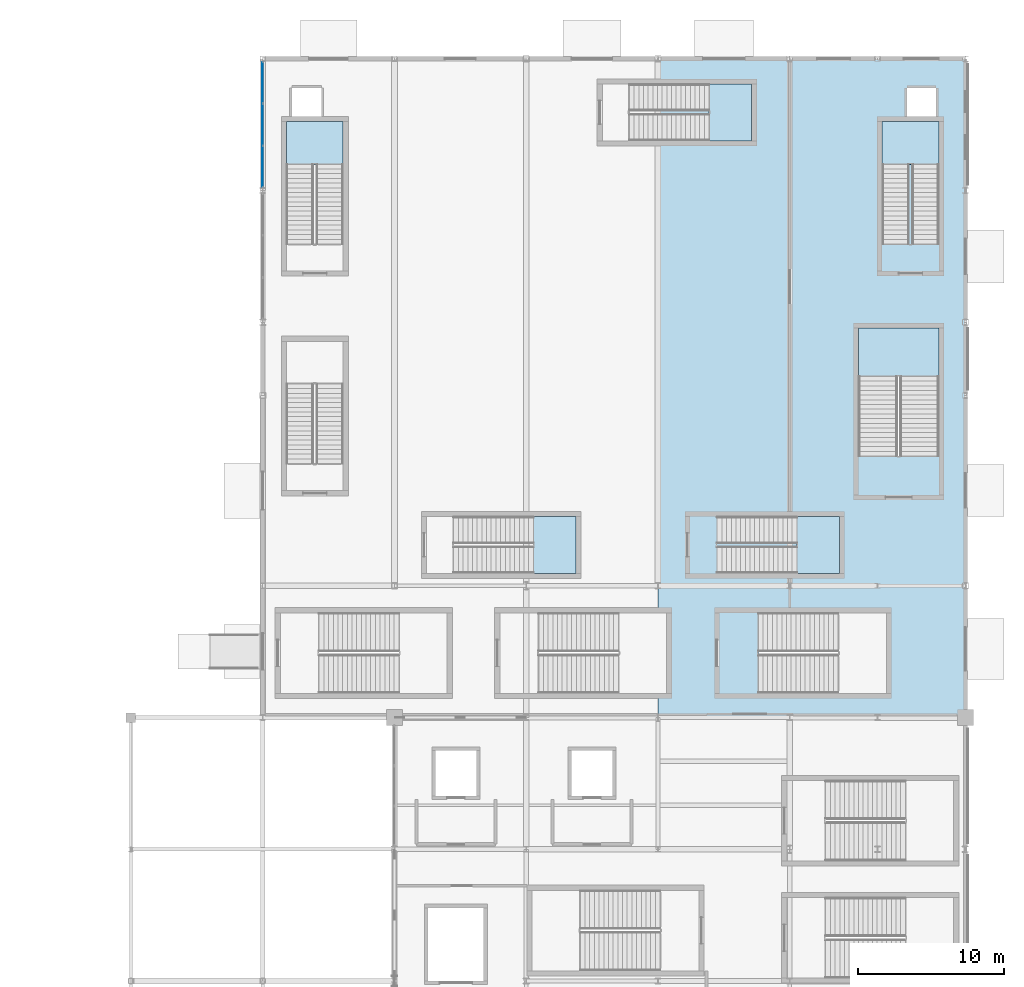
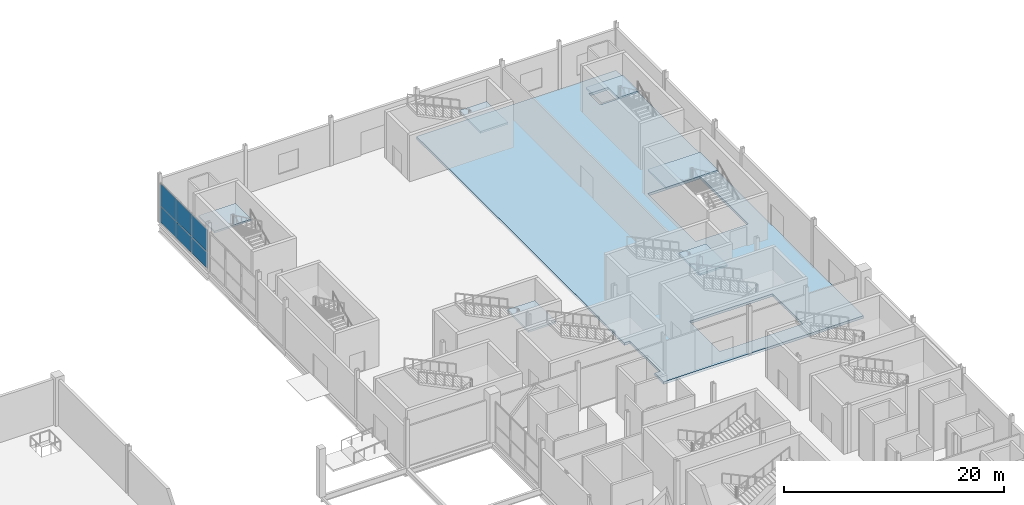
# One storey, part 48 of 94: 7 slabs, 6 plates, 7 elements without a shape of their own.
"""IFC4 building model written with IfcOpenShell, lengths in metres."""

from ifc_helpers import new_model, si_unit, direction, frame, origin, origin_2d, place, context, subcontext, project, spatial, polyline, rectangle, outline, extrude, material, layer, layer_set, type_object, element, aggregate, save


model = new_model("IFC4")

# Units and contexts
model_context = context("Model", 3, precision=1e-05, world=origin(), true_north=direction((0.0, 1.0)))
body_context = subcontext(model_context, "Body", "Model", "MODEL_VIEW")
ifc_project = project(units=[si_unit("LENGTHUNIT", "METRE"), si_unit("AREAUNIT", "SQUARE_METRE"), si_unit("VOLUMEUNIT", "CUBIC_METRE"), si_unit("PLANEANGLEUNIT", "RADIAN"), si_unit("MASSUNIT", "GRAM", prefix="KILO")], contexts=[model_context])

# Site, building, storey
site_placement = place(None, origin())
site = spatial("IfcSite", under=ifc_project, at=site_placement, CompositionType="ELEMENT")
building_placement = place(site_placement, origin())
building = spatial("IfcBuilding", under=site, at=building_placement, Name="Qamarlyn Nura Convention Centre", CompositionType="ELEMENT")
storey_placement = place(building_placement, origin())
storey = spatial("IfcBuildingStorey", under=building, at=storey_placement, Name="L00", CompositionType="ELEMENT", Elevation=0.0)

# Curtain wall, plates
ifc_material_1 = material(Name="Double-silver low-E insulated glass", Category="glass")
ifc_layer_1 = layer(ifc_material_1, 0.179931640625, Name="CW-UNIT-65")
ifc_layer_set_1 = layer_set([ifc_layer_1], Name="Double-silver low-E insulated glass")
curtain_wall_type = type_object("IfcCurtainWallType", Name="CW-UNIT-65", PredefinedType="NOTDEFINED", material=ifc_layer_set_1)
curtain_wall_placement = place(storey_placement, origin())
curtain_wall = element("IfcCurtainWall", 1, at=curtain_wall_placement, inside=storey, type_object=curtain_wall_type, Name="L00 unitised curtain wall PLW-117-1", PredefinedType="NOTDEFINED")
ifc_layer_2 = layer(ifc_material_1, 0.028076171875, Name="CWP-VIS-28")
ifc_layer_set_2 = layer_set([ifc_layer_2], Name="Double-silver low-E insulated glass")
plate_type = type_object("IfcPlateType", Name="CWP-VIS-28", PredefinedType="CURTAIN_PANEL", material=ifc_layer_set_2)
plate_1_placement = place(storey_placement, frame((144.0, 118.640869140625, 0.06005859375), z_axis=(0.0, 0.0, 1.0), x_axis=(0.0, 1.0, 0.0)))
plate_1 = element("IfcPlate", 2, at=plate_1_placement, type_object=plate_type, Name="CW65 panel 1.1", PredefinedType="CURTAIN_PANEL", context=body_context, shape_type="SweptSolid", body=[
    extrude(rectangle(XDim=2.78955078125, YDim=0.028076171875, at=origin_2d()), origin(), (0.0, 0.0, 1.0), 1.779052734375),
])
plate_2_placement = place(storey_placement, frame((144.0, 118.640869140625, 1.89892578125), z_axis=(0.0, 0.0, 1.0), x_axis=(0.0, 1.0, 0.0)))
plate_2 = element("IfcPlate", 3, at=plate_2_placement, type_object=plate_type, Name="CW65 panel 1.2", PredefinedType="CURTAIN_PANEL", context=body_context, shape_type="SweptSolid", body=[
    extrude(rectangle(XDim=2.78955078125, YDim=0.028076171875, at=origin_2d()), origin(), (0.0, 0.0, 1.0), 2.490966796875),
])
plate_3_placement = place(storey_placement, frame((144.0, 121.505615234375, 0.06005859375), z_axis=(0.0, 0.0, 1.0), x_axis=(0.0, 1.0, 0.0)))
plate_3 = element("IfcPlate", 4, at=plate_3_placement, type_object=plate_type, Name="CW65 panel 2.1", PredefinedType="CURTAIN_PANEL", context=body_context, shape_type="SweptSolid", body=[
    extrude(rectangle(XDim=2.819580078125, YDim=0.028076171875, at=origin_2d()), origin(), (0.0, 0.0, 1.0), 1.779052734375),
])
plate_4_placement = place(storey_placement, frame((144.0, 121.505615234375, 1.89892578125), z_axis=(0.0, 0.0, 1.0), x_axis=(0.0, 1.0, 0.0)))
plate_4 = element("IfcPlate", 5, at=plate_4_placement, type_object=plate_type, Name="CW65 panel 2.2", PredefinedType="CURTAIN_PANEL", context=body_context, shape_type="SweptSolid", body=[
    extrude(rectangle(XDim=2.819580078125, YDim=0.028076171875, at=origin_2d()), origin(), (0.0, 0.0, 1.0), 2.490966796875),
])
plate_5_placement = place(storey_placement, frame((144.0, 124.3701171875, 0.06005859375), z_axis=(0.0, 0.0, 1.0), x_axis=(0.0, 1.0, 0.0)))
plate_5 = element("IfcPlate", 6, at=plate_5_placement, type_object=plate_type, Name="CW65 panel 3.1", PredefinedType="CURTAIN_PANEL", context=body_context, shape_type="SweptSolid", body=[
    extrude(rectangle(XDim=2.78955078125, YDim=0.028076171875, at=origin_2d()), origin(), (0.0, 0.0, 1.0), 1.779052734375),
])
plate_6_placement = place(storey_placement, frame((144.0, 124.3701171875, 1.89892578125), z_axis=(0.0, 0.0, 1.0), x_axis=(0.0, 1.0, 0.0)))
plate_6 = element("IfcPlate", 7, at=plate_6_placement, type_object=plate_type, Name="CW65 panel 3.2", PredefinedType="CURTAIN_PANEL", context=body_context, shape_type="SweptSolid", body=[
    extrude(rectangle(XDim=2.78955078125, YDim=0.028076171875, at=origin_2d()), origin(), (0.0, 0.0, 1.0), 2.490966796875),
])
aggregate(curtain_wall, [plate_1, plate_2, plate_3, plate_4, plate_5, plate_6])

# Slab
ifc_material_2 = material(Name="Concrete C40/50", Category="concrete")
ifc_layer_3 = layer(ifc_material_2, 0.300048828125, Name="SL-L00")
ifc_layer_set_3 = layer_set([ifc_layer_3], Name="Concrete C40/50")
slab_type_1 = type_object("IfcSlabType", Name="SL-L00", PredefinedType="FLOOR", material=ifc_layer_set_3)
slab_1_placement = place(storey_placement, frame((0.0, 0.0, -0.280029296875)))
element("IfcSlab", 8, at=slab_1_placement, inside=storey, type_object=slab_type_1, Name="L00 floor slab L00-PL2", PredefinedType="FLOOR", context=body_context, shape_type="SweptSolid", body=[
    extrude(outline(polyline([(171.0, 82.64990234375), (171.60009765625, 82.64990234375), (171.60009765625, 88.14990234375), (171.0, 88.14990234375), (171.0, 126.0), (192.0, 126.0), (192.0, 81.0), (171.0, 81.0), (171.0, 82.64990234375)]), holes=[polyline([(188.0, 124.0), (188.0, 122.0), (190.0, 122.0), (190.0, 124.0), (188.0, 124.0)]), polyline([(177.860107421875, 88.14990234375), (177.860107421875, 82.64990234375), (186.60009765625, 82.64990234375), (186.60009765625, 88.14990234375), (177.860107421875, 88.14990234375)]), polyline([(184.699951171875, 98.860107421875), (190.199951171875, 98.860107421875), (190.199951171875, 107.60009765625), (184.699951171875, 107.60009765625), (184.699951171875, 98.860107421875)])]), origin(), (0.0, 0.0, 1.0), 0.280029296875),
])

# Stair, slab
stair_type_1 = type_object("IfcStairType", Name="STAIR-EXIT-54", PredefinedType="HALF_TURN_STAIR", material=ifc_material_2)
stair_1_placement = place(storey_placement, origin())
stair_1 = element("IfcStair", 9, at=stair_1_placement, inside=storey, type_object=stair_type_1, Name="L00 Enclosed exit stair ST-18", PredefinedType="HALF_TURN_STAIR")
ifc_layer_4 = layer(ifc_material_2, 0.199951171875, Name="SL-LAND-200")
ifc_layer_set_4 = layer_set([ifc_layer_4], Name="Concrete C40/50")
slab_type_2 = type_object("IfcSlabType", Name="SL-LAND-200", PredefinedType="LANDING", material=ifc_layer_set_4)
slab_2_placement = place(storey_placement, frame((0.0, 0.0, 2.5)))
slab_2 = element("IfcSlab", 10, at=slab_2_placement, type_object=slab_type_2, Name="ST-18 landing 1", PredefinedType="LANDING", context=body_context, shape_type="SweptSolid", body=[
    extrude(outline(polyline([(190.199951171875, 104.300048828125), (190.199951171875, 107.60009765625), (184.699951171875, 107.60009765625), (184.699951171875, 104.300048828125), (190.199951171875, 104.300048828125)])), origin(), (0.0, 0.0, 1.0), 0.199951171875),
])
aggregate(stair_1, [slab_2])

stair_type_2 = type_object("IfcStairType", Name="STAIR-VOM-54", PredefinedType="HALF_TURN_STAIR", material=ifc_material_2)
stair_2_placement = place(storey_placement, origin())
stair_2 = element("IfcStair", 11, at=stair_2_placement, inside=storey, type_object=stair_type_2, Name="L00 Plenary vomitory stair ST-VOM2", PredefinedType="HALF_TURN_STAIR")
slab_3_placement = place(storey_placement, frame((0.0, 0.0, 2.5)))
slab_3 = element("IfcSlab", 12, at=slab_3_placement, type_object=slab_type_2, Name="ST-VOM2 landing 1", PredefinedType="LANDING", context=body_context, shape_type="SweptSolid", body=[
    extrude(outline(polyline([(149.5, 118.7900390625), (149.5, 121.699951171875), (145.6201171875, 121.699951171875), (145.6201171875, 118.7900390625), (149.5, 118.7900390625)])), origin(), (0.0, 0.0, 1.0), 0.199951171875),
])
aggregate(stair_2, [slab_3])

stair_3_placement = place(storey_placement, origin())
stair_3 = element("IfcStair", 13, at=stair_3_placement, inside=storey, type_object=stair_type_2, Name="L00 Plenary vomitory stair ST-VOM3", PredefinedType="HALF_TURN_STAIR")
slab_4_placement = place(storey_placement, frame((0.0, 0.0, 2.5)))
slab_4 = element("IfcSlab", 14, at=slab_4_placement, type_object=slab_type_2, Name="ST-VOM3 landing 1", PredefinedType="LANDING", context=body_context, shape_type="SweptSolid", body=[
    extrude(outline(polyline([(162.489990234375, 90.85009765625), (165.39990234375, 90.85009765625), (165.39990234375, 94.72998046875), (162.489990234375, 94.72998046875), (162.489990234375, 90.85009765625)])), origin(), (0.0, 0.0, 1.0), 0.199951171875),
])
aggregate(stair_3, [slab_4])

stair_4_placement = place(storey_placement, origin())
stair_4 = element("IfcStair", 15, at=stair_4_placement, inside=storey, type_object=stair_type_2, Name="L00 Plenary vomitory stair ST-VOM4", PredefinedType="HALF_TURN_STAIR")
slab_5_placement = place(storey_placement, frame((0.0, 0.0, 2.5)))
slab_5 = element("IfcSlab", 16, at=slab_5_placement, type_object=slab_type_2, Name="ST-VOM4 landing 1", PredefinedType="LANDING", context=body_context, shape_type="SweptSolid", body=[
    extrude(outline(polyline([(180.489990234375, 90.85009765625), (183.39990234375, 90.85009765625), (183.39990234375, 94.72998046875), (180.489990234375, 94.72998046875), (180.489990234375, 90.85009765625)])), origin(), (0.0, 0.0, 1.0), 0.199951171875),
])
aggregate(stair_4, [slab_5])

stair_5_placement = place(storey_placement, origin())
stair_5 = element("IfcStair", 17, at=stair_5_placement, inside=storey, type_object=stair_type_2, Name="L00 Plenary vomitory stair ST-VOM5", PredefinedType="HALF_TURN_STAIR")
slab_6_placement = place(storey_placement, frame((0.0, 0.0, 2.5)))
slab_6 = element("IfcSlab", 18, at=slab_6_placement, type_object=slab_type_2, Name="ST-VOM5 landing 1", PredefinedType="LANDING", context=body_context, shape_type="SweptSolid", body=[
    extrude(outline(polyline([(174.489990234375, 120.39990234375), (177.39990234375, 120.39990234375), (177.39990234375, 124.280029296875), (174.489990234375, 124.280029296875), (174.489990234375, 120.39990234375)])), origin(), (0.0, 0.0, 1.0), 0.199951171875),
])
aggregate(stair_5, [slab_6])

stair_6_placement = place(storey_placement, origin())
stair_6 = element("IfcStair", 19, at=stair_6_placement, inside=storey, type_object=stair_type_2, Name="L00 Plenary vomitory stair ST-VOM6", PredefinedType="HALF_TURN_STAIR")
slab_7_placement = place(storey_placement, frame((0.0, 0.0, 2.5)))
slab_7 = element("IfcSlab", 20, at=slab_7_placement, type_object=slab_type_2, Name="ST-VOM6 landing 1", PredefinedType="LANDING", context=body_context, shape_type="SweptSolid", body=[
    extrude(outline(polyline([(190.199951171875, 118.7900390625), (190.199951171875, 121.699951171875), (186.320068359375, 121.699951171875), (186.320068359375, 118.7900390625), (190.199951171875, 118.7900390625)])), origin(), (0.0, 0.0, 1.0), 0.199951171875),
])
aggregate(stair_6, [slab_7])

save(model, "model.ifc")
